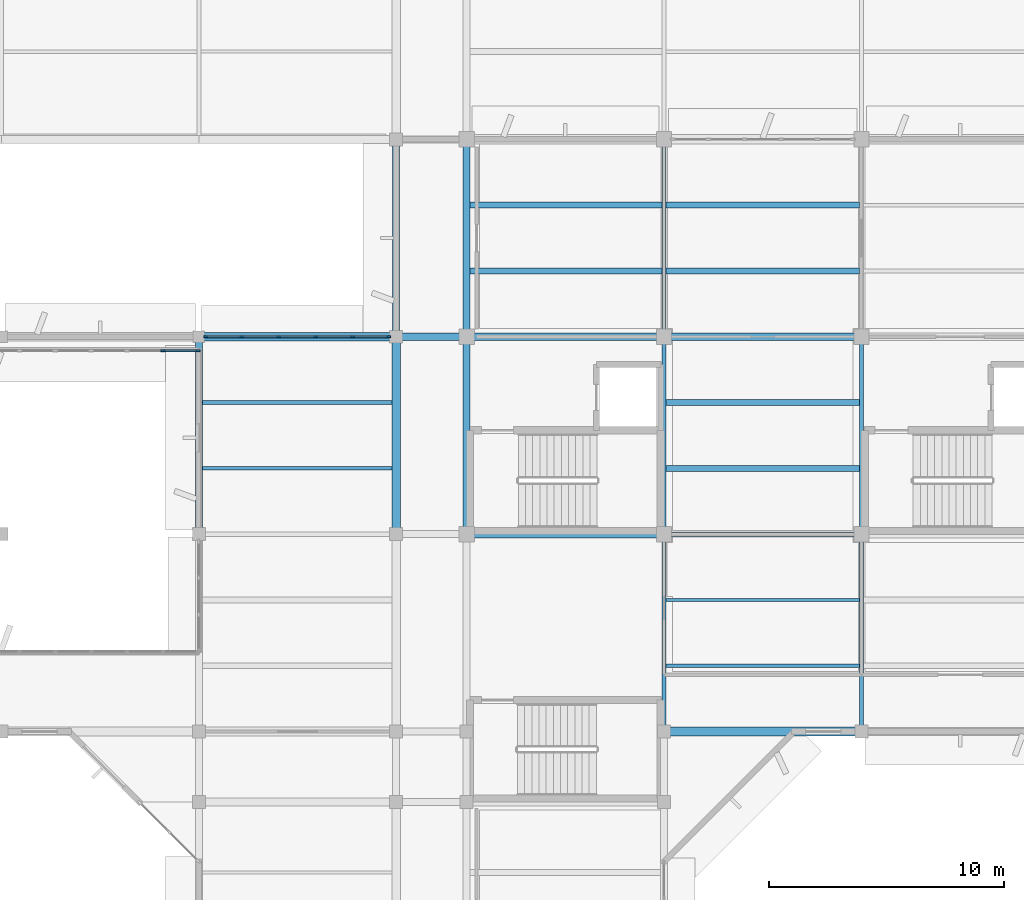
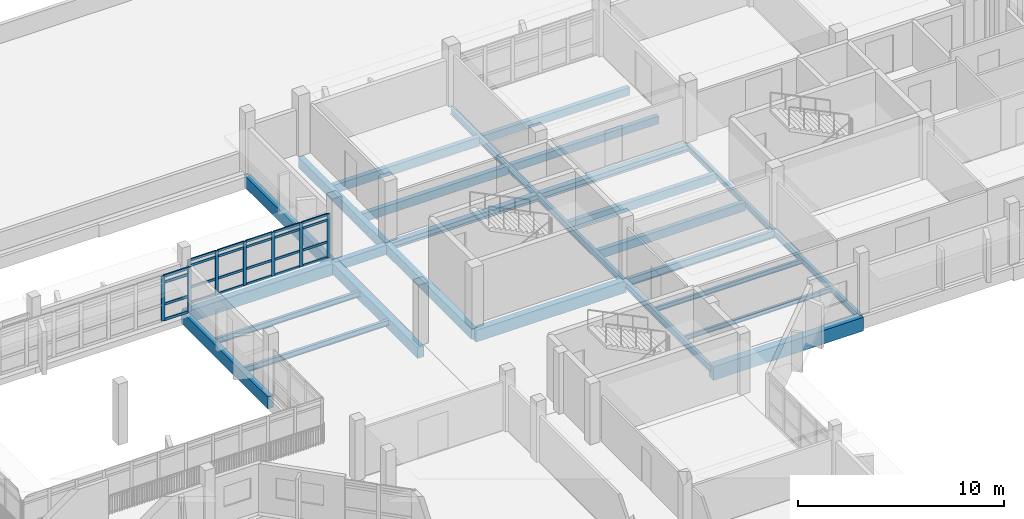
# One storey, part 36 of 92: 32 members, 27 beams, 2 elements without a shape of their own.
"""IFC4 building model written with IfcOpenShell, lengths in metres."""

from ifc_helpers import new_model, si_unit, direction, frame, origin, origin_2d, place, context, subcontext, project, spatial, rectangle, i_section, extrude, material, material_profile, profile_set, type_object, element, aggregate, save


model = new_model("IFC4")

# Units and contexts
model_context = context("Model", 3, precision=1e-05, world=origin(), true_north=direction((0.0, 1.0)))
body_context = subcontext(model_context, "Body", "Model", "MODEL_VIEW")
ifc_project = project(units=[si_unit("LENGTHUNIT", "METRE"), si_unit("AREAUNIT", "SQUARE_METRE"), si_unit("VOLUMEUNIT", "CUBIC_METRE"), si_unit("PLANEANGLEUNIT", "RADIAN"), si_unit("MASSUNIT", "GRAM", prefix="KILO")], contexts=[model_context])

# Site, building, storey
site_placement = place(None, origin())
site = spatial("IfcSite", under=ifc_project, at=site_placement, CompositionType="ELEMENT")
building_placement = place(site_placement, origin())
building = spatial("IfcBuilding", under=site, at=building_placement, Name="Vanh Quang Courtyard School", CompositionType="ELEMENT")
storey_placement = place(building_placement, frame((0.0, 0.0, 7.800048828125)))
storey = spatial("IfcBuildingStorey", under=building, at=storey_placement, Name="L02", CompositionType="ELEMENT", Elevation=7.800048828125)

# Beams
ifc_material_1 = material(Name="Concrete C35/45", Category="concrete")
ifc_material_profile_1 = material_profile(ifc_material_1, rectangle(XDim=0.300048828125, YDim=0.550048828125, at=origin_2d()), Name="RC-BM 300x550")
ifc_profile_set_1 = profile_set([ifc_material_profile_1], Name="Concrete C35/45")
beam_type_1 = type_object("IfcBeamType", Name="BM-RC-300x550", PredefinedType="BEAM", material=ifc_profile_set_1)
beam_1_placement = place(storey_placement, frame((74.39990234375, 88.199951171875, -0.574951171875), z_axis=(1.0, 0.0, 0.0), x_axis=(0.0, 1.0, 0.0)))
element("IfcBeam", 1, at=beam_1_placement, inside=storey, type_object=beam_type_1, Name="Beam B-07 (L02)", PredefinedType="BEAM", context=body_context, shape_type="SweptSolid", body=[
    extrude(rectangle(XDim=0.300048828125, YDim=0.550048828125, at=origin_2d()), origin(), (0.0, 0.0, 1.0), 3.0),
])
ifc_material_profile_2 = material_profile(ifc_material_1, rectangle(XDim=0.300048828125, YDim=0.60009765625, at=origin_2d()), Name="RC-BM 300x600")
ifc_profile_set_2 = profile_set([ifc_material_profile_2], Name="Concrete C35/45")
beam_type_2 = type_object("IfcBeamType", Name="BM-RC-300x600", PredefinedType="BEAM", material=ifc_profile_set_2)
beam_2_placement = place(storey_placement, frame((77.39990234375, 79.800048828125, -0.580078125), z_axis=(0.0, 1.0, 0.0), x_axis=(-1.0, 0.0, 0.0)))
element("IfcBeam", 2, at=beam_2_placement, inside=storey, type_object=beam_type_2, Name="Beam B-06 (L02)", PredefinedType="BEAM", context=body_context, shape_type="SweptSolid", body=[
    extrude(rectangle(XDim=0.300048828125, YDim=0.60009765625, at=origin_2d()), origin(), (0.0, 0.0, 1.0), 8.39990234375),
])
beam_3_placement = place(storey_placement, frame((77.39990234375, 88.199951171875, -0.580078125), z_axis=(0.0, 1.0, 0.0), x_axis=(-1.0, 0.0, 0.0)))
element("IfcBeam", 3, at=beam_3_placement, inside=storey, type_object=beam_type_2, Name="Beam B-06 (L02)", PredefinedType="BEAM", context=body_context, shape_type="SweptSolid", body=[
    extrude(rectangle(XDim=0.300048828125, YDim=0.60009765625, at=origin_2d()), origin(), (0.0, 0.0, 1.0), 8.400146484375),
])
ifc_material_profile_3 = material_profile(ifc_material_1, rectangle(XDim=0.35009765625, YDim=0.64990234375, at=origin_2d()), Name="RC-BM 350x650")
ifc_profile_set_3 = profile_set([ifc_material_profile_3], Name="Concrete C35/45")
beam_type_3 = type_object("IfcBeamType", Name="BM-RC-350x650", PredefinedType="BEAM", material=ifc_profile_set_3)
beam_4_placement = place(storey_placement, frame((74.39990234375, 79.800048828125, -0.625), z_axis=(0.0, 1.0, 0.0), x_axis=(-1.0, 0.0, 0.0)))
element("IfcBeam", 4, at=beam_4_placement, inside=storey, type_object=beam_type_3, Name="Beam B-05 (L02)", PredefinedType="BEAM", context=body_context, shape_type="SweptSolid", body=[
    extrude(rectangle(XDim=0.35009765625, YDim=0.64990234375, at=origin_2d()), origin(), (0.0, 0.0, 1.0), 8.39990234375),
])
ifc_material_profile_4 = material_profile(ifc_material_1, rectangle(XDim=0.35009765625, YDim=0.699951171875, at=origin_2d()), Name="RC-BM 350x700")
ifc_profile_set_4 = profile_set([ifc_material_profile_4], Name="Concrete C35/45")
beam_type_4 = type_object("IfcBeamType", Name="BM-RC-350x700", PredefinedType="BEAM", material=ifc_profile_set_4)
beam_5_placement = place(storey_placement, frame((77.39990234375, 79.800048828125, -0.630126953125), z_axis=(1.0, 0.0, 0.0), x_axis=(0.0, 1.0, 0.0)))
element("IfcBeam", 5, at=beam_5_placement, inside=storey, type_object=beam_type_4, Name="Beam B-04 (L02)", PredefinedType="BEAM", context=body_context, shape_type="SweptSolid", body=[
    extrude(rectangle(XDim=0.35009765625, YDim=0.699951171875, at=origin_2d()), origin(), (0.0, 0.0, 1.0), 8.400146484375),
])
beam_6_placement = place(storey_placement, frame((66.0, 88.199951171875, -0.650146484375), z_axis=(1.0, 0.0, 0.0), x_axis=(0.0, 1.0, 0.0)))
element("IfcBeam", 6, at=beam_6_placement, inside=storey, type_object=beam_type_4, Name="Beam B-04 (L02)", PredefinedType="BEAM", context=body_context, shape_type="SweptSolid", body=[
    extrude(rectangle(XDim=0.35009765625, YDim=0.699951171875, at=origin_2d()), origin(), (0.0, 0.0, 1.0), 8.39990234375),
])
ifc_material_profile_5 = material_profile(ifc_material_1, rectangle(XDim=0.39990234375, YDim=0.800048828125, at=origin_2d()), Name="RC-BM 400x800")
ifc_profile_set_5 = profile_set([ifc_material_profile_5], Name="Concrete C35/45")
beam_type_5 = type_object("IfcBeamType", Name="BM-RC-400x800", PredefinedType="BEAM", material=ifc_profile_set_5)
beam_7_placement = place(storey_placement, frame((85.800048828125, 71.39990234375, -0.679931640625), z_axis=(1.0, 0.0, 0.0), x_axis=(0.0, 1.0, 0.0)))
element("IfcBeam", 7, at=beam_7_placement, inside=storey, type_object=beam_type_5, Name="Beam B-02 (L02)", PredefinedType="BEAM", context=body_context, shape_type="SweptSolid", body=[
    extrude(rectangle(XDim=0.39990234375, YDim=0.800048828125, at=origin_2d()), origin(), (0.0, 0.0, 1.0), 8.39990234375),
])
ifc_material_profile_6 = material_profile(ifc_material_1, rectangle(XDim=0.300048828125, YDim=0.699951171875, at=origin_2d()), Name="RC-SP 300x700")
ifc_profile_set_6 = profile_set([ifc_material_profile_6], Name="Concrete C35/45")
beam_type_6 = type_object("IfcBeamType", Name="BM-SP-300x700", PredefinedType="SPANDREL", material=ifc_profile_set_6)
beam_8_placement = place(storey_placement, frame((66.0, 79.800048828125, -0.650146484375), z_axis=(0.0, 1.0, 0.0), x_axis=(-1.0, 0.0, 0.0)))
element("IfcBeam", 8, at=beam_8_placement, inside=storey, type_object=beam_type_6, Name="Beam BS-01 (L02)", PredefinedType="SPANDREL", context=body_context, shape_type="SweptSolid", body=[
    extrude(rectangle(XDim=0.300048828125, YDim=0.699951171875, at=origin_2d()), origin(), (0.0, 0.0, 1.0), 8.39990234375),
])
beam_9_placement = place(storey_placement, frame((74.39990234375, 88.199951171875, -0.650146484375), z_axis=(0.0, 1.0, 0.0), x_axis=(-1.0, 0.0, 0.0)))
element("IfcBeam", 9, at=beam_9_placement, inside=storey, type_object=beam_type_6, Name="Beam BS-01 (L02)", PredefinedType="SPANDREL", context=body_context, shape_type="SweptSolid", body=[
    extrude(rectangle(XDim=0.300048828125, YDim=0.699951171875, at=origin_2d()), origin(), (0.0, 0.0, 1.0), 8.400146484375),
])
ifc_material_2 = material(Name="Structural steel EN 10025-2 S355J2", Category="steel")
ifc_material_profile_7 = material_profile(ifc_material_2, i_section(OverallWidth=0.300048828125, OverallDepth=0.389892578125, WebThickness=0.010986328125, FlangeThickness=0.01904296875, FilletRadius=0.027099609375, at=origin_2d()), Name="HEA 400")
ifc_profile_set_7 = profile_set([ifc_material_profile_7], Name="Structural steel EN 10025-2 S355J2")
beam_type_7 = type_object("IfcBeamType", Name="BM-STL-HEA400", PredefinedType="BEAM", material=ifc_profile_set_7)
beam_10_placement = place(storey_placement, frame((77.39990234375, 88.199951171875, -0.47509765625), z_axis=(1.0, 0.0, 0.0), x_axis=(0.0, 1.0, 0.0)))
element("IfcBeam", 10, at=beam_10_placement, inside=storey, type_object=beam_type_7, Name="Beam SB-08 (L02)", PredefinedType="BEAM", context=body_context, shape_type="SweptSolid", body=[
    extrude(i_section(OverallWidth=0.300048828125, OverallDepth=0.389892578125, WebThickness=0.010986328125, FlangeThickness=0.01904296875, FilletRadius=0.027099609375, at=origin_2d()), origin(), (0.0, 0.0, 1.0), 8.400146484375),
])
beam_11_placement = place(storey_placement, frame((85.800048828125, 88.199951171875, -0.47509765625), z_axis=(1.0, 0.0, 0.0), x_axis=(0.0, 1.0, 0.0)))
element("IfcBeam", 11, at=beam_11_placement, inside=storey, type_object=beam_type_7, Name="Beam SB-08 (L02)", PredefinedType="BEAM", context=body_context, shape_type="SweptSolid", body=[
    extrude(i_section(OverallWidth=0.300048828125, OverallDepth=0.389892578125, WebThickness=0.010986328125, FlangeThickness=0.01904296875, FilletRadius=0.027099609375, at=origin_2d()), origin(), (0.0, 0.0, 1.0), 8.39990234375),
])
ifc_material_profile_8 = material_profile(ifc_material_2, i_section(OverallWidth=0.169921875, OverallDepth=0.360107421875, WebThickness=0.008056640625, FlangeThickness=0.0126953125, FilletRadius=0.01806640625, at=origin_2d()), Name="IPE 360")
ifc_profile_set_8 = profile_set([ifc_material_profile_8], Name="Structural steel EN 10025-2 S355J2")
beam_type_8 = type_object("IfcBeamType", Name="BM-STL-IPE360", PredefinedType="BEAM", material=ifc_profile_set_8)
beam_12_placement = place(storey_placement, frame((94.199951171875, 71.39990234375, -0.4599609375), z_axis=(0.0, 1.0, 0.0), x_axis=(-1.0, 0.0, 0.0)))
element("IfcBeam", 12, at=beam_12_placement, inside=storey, type_object=beam_type_8, Name="Beam SB-06 (L02)", PredefinedType="BEAM", context=body_context, shape_type="SweptSolid", body=[
    extrude(i_section(OverallWidth=0.169921875, OverallDepth=0.360107421875, WebThickness=0.008056640625, FlangeThickness=0.0126953125, FilletRadius=0.01806640625, at=origin_2d()), origin(), (0.0, 0.0, 1.0), 8.400146484375),
])
beam_13_placement = place(storey_placement, frame((94.199951171875, 79.800048828125, -0.4599609375), z_axis=(0.0, 1.0, 0.0), x_axis=(-1.0, 0.0, 0.0)))
element("IfcBeam", 13, at=beam_13_placement, inside=storey, type_object=beam_type_8, Name="Beam SB-06 (L02)", PredefinedType="BEAM", context=body_context, shape_type="SweptSolid", body=[
    extrude(i_section(OverallWidth=0.169921875, OverallDepth=0.360107421875, WebThickness=0.008056640625, FlangeThickness=0.0126953125, FilletRadius=0.01806640625, at=origin_2d()), origin(), (0.0, 0.0, 1.0), 8.39990234375),
])
ifc_material_profile_9 = material_profile(ifc_material_2, i_section(OverallWidth=0.179931640625, OverallDepth=0.39990234375, WebThickness=0.008544921875, FlangeThickness=0.013427734375, FilletRadius=0.02099609375, at=origin_2d()), Name="IPE 400")
ifc_profile_set_9 = profile_set([ifc_material_profile_9], Name="Structural steel EN 10025-2 S355J2")
beam_type_9 = type_object("IfcBeamType", Name="BM-STL-IPE400", PredefinedType="BEAM", material=ifc_profile_set_9)
beam_14_placement = place(storey_placement, frame((85.800048828125, 71.39990234375, -0.47998046875), z_axis=(0.0, 1.0, 0.0), x_axis=(-1.0, 0.0, 0.0)))
element("IfcBeam", 14, at=beam_14_placement, inside=storey, type_object=beam_type_9, Name="Beam SB-05 (L02)", PredefinedType="BEAM", context=body_context, shape_type="SweptSolid", body=[
    extrude(i_section(OverallWidth=0.179931640625, OverallDepth=0.39990234375, WebThickness=0.008544921875, FlangeThickness=0.013427734375, FilletRadius=0.02099609375, at=origin_2d()), origin(), (0.0, 0.0, 1.0), 8.400146484375),
])
beam_15_placement = place(storey_placement, frame((85.800048828125, 79.800048828125, -0.47998046875), z_axis=(0.0, 1.0, 0.0), x_axis=(-1.0, 0.0, 0.0)))
element("IfcBeam", 15, at=beam_15_placement, inside=storey, type_object=beam_type_9, Name="Beam SB-05 (L02)", PredefinedType="BEAM", context=body_context, shape_type="SweptSolid", body=[
    extrude(i_section(OverallWidth=0.179931640625, OverallDepth=0.39990234375, WebThickness=0.008544921875, FlangeThickness=0.013427734375, FilletRadius=0.02099609375, at=origin_2d()), origin(), (0.0, 0.0, 1.0), 8.39990234375),
])
beam_16_placement = place(storey_placement, frame((85.800048828125, 88.199951171875, -0.47998046875), z_axis=(0.0, 1.0, 0.0), x_axis=(-1.0, 0.0, 0.0)))
element("IfcBeam", 16, at=beam_16_placement, inside=storey, type_object=beam_type_9, Name="Beam SB-05 (L02)", PredefinedType="BEAM", context=body_context, shape_type="SweptSolid", body=[
    extrude(i_section(OverallWidth=0.179931640625, OverallDepth=0.39990234375, WebThickness=0.008544921875, FlangeThickness=0.013427734375, FilletRadius=0.02099609375, at=origin_2d()), origin(), (0.0, 0.0, 1.0), 8.400146484375),
])
ifc_material_profile_10 = material_profile(ifc_material_2, i_section(OverallWidth=0.18994140625, OverallDepth=0.449951171875, WebThickness=0.009521484375, FlangeThickness=0.0146484375, FilletRadius=0.02099609375, at=origin_2d()), Name="IPE 450")
ifc_profile_set_10 = profile_set([ifc_material_profile_10], Name="Structural steel EN 10025-2 S355J2")
beam_type_10 = type_object("IfcBeamType", Name="BM-STL-IPE450", PredefinedType="BEAM", material=ifc_profile_set_10)
beam_17_placement = place(storey_placement, frame((85.800048828125, 79.800048828125, -0.505126953125), z_axis=(1.0, 0.0, 0.0), x_axis=(0.0, 1.0, 0.0)))
element("IfcBeam", 17, at=beam_17_placement, inside=storey, type_object=beam_type_10, Name="Beam SB-04 (L02)", PredefinedType="BEAM", context=body_context, shape_type="SweptSolid", body=[
    extrude(i_section(OverallWidth=0.18994140625, OverallDepth=0.449951171875, WebThickness=0.009521484375, FlangeThickness=0.0146484375, FilletRadius=0.02099609375, at=origin_2d()), origin(), (0.0, 0.0, 1.0), 8.39990234375),
])

# Curtain wall, members
ifc_material_3 = material(Name="Thermally broken aluminium unitised curtain wall", Category="aluminium")
curtain_wall_type_1 = type_object("IfcCurtainWallType", Name="CW-SYS-19", PredefinedType="NOTDEFINED", material=ifc_material_3)
curtain_wall_1_placement = place(storey_placement, origin())
curtain_wall_1 = element("IfcCurtainWall", 18, at=curtain_wall_1_placement, inside=storey, type_object=curtain_wall_type_1, Name="Curtain Wall CW-19 (L02)", PredefinedType="NOTDEFINED")
ifc_material_4 = material(Name="Anodised aluminium 6063-T6", Category="aluminium")
ifc_material_profile_11 = material_profile(ifc_material_4, rectangle(XDim=0.070068359375, YDim=0.179931640625, at=origin_2d()), Name="ALU-MUL 70x180")
ifc_profile_set_11 = profile_set([ifc_material_profile_11], Name="Anodised aluminium 6063-T6")
member_type_1 = type_object("IfcMemberType", Name="CW-MUL-70x180", PredefinedType="MULLION", material=ifc_profile_set_11)
member_1_placement = place(storey_placement, frame((66.29296875, 88.199951171875, 0.0), z_axis=(0.0, 0.0, 1.0), x_axis=(0.0, 1.0, 0.0)))
member_1 = element("IfcMember", 19, at=member_1_placement, type_object=member_type_1, Name="CW-19 mullion 1", PredefinedType="MULLION", context=body_context, shape_type="SweptSolid", body=[
    extrude(rectangle(XDim=0.070068359375, YDim=0.179931640625, at=origin_2d()), origin(), (0.0, 0.0, 1.0), 2.599853515625),
])
member_2_placement = place(storey_placement, frame((67.829833984375, 88.199951171875, 0.0), z_axis=(0.0, 0.0, 1.0), x_axis=(0.0, 1.0, 0.0)))
member_2 = element("IfcMember", 20, at=member_2_placement, type_object=member_type_1, Name="CW-19 mullion 2", PredefinedType="MULLION", context=body_context, shape_type="SweptSolid", body=[
    extrude(rectangle(XDim=0.070068359375, YDim=0.179931640625, at=origin_2d()), origin(), (0.0, 0.0, 1.0), 2.599853515625),
])
member_3_placement = place(storey_placement, frame((69.401611328125, 88.199951171875, 0.0), z_axis=(0.0, 0.0, 1.0), x_axis=(0.0, 1.0, 0.0)))
member_3 = element("IfcMember", 21, at=member_3_placement, type_object=member_type_1, Name="CW-19 mullion 3", PredefinedType="MULLION", context=body_context, shape_type="SweptSolid", body=[
    extrude(rectangle(XDim=0.070068359375, YDim=0.179931640625, at=origin_2d()), origin(), (0.0, 0.0, 1.0), 2.599853515625),
])
member_4_placement = place(storey_placement, frame((70.973388671875, 88.199951171875, 0.0), z_axis=(0.0, 0.0, 1.0), x_axis=(0.0, 1.0, 0.0)))
member_4 = element("IfcMember", 22, at=member_4_placement, type_object=member_type_1, Name="CW-19 mullion 4", PredefinedType="MULLION", context=body_context, shape_type="SweptSolid", body=[
    extrude(rectangle(XDim=0.070068359375, YDim=0.179931640625, at=origin_2d()), origin(), (0.0, 0.0, 1.0), 2.599853515625),
])
member_5_placement = place(storey_placement, frame((72.545166015625, 88.199951171875, 0.0), z_axis=(0.0, 0.0, 1.0), x_axis=(0.0, 1.0, 0.0)))
member_5 = element("IfcMember", 23, at=member_5_placement, type_object=member_type_1, Name="CW-19 mullion 5", PredefinedType="MULLION", context=body_context, shape_type="SweptSolid", body=[
    extrude(rectangle(XDim=0.070068359375, YDim=0.179931640625, at=origin_2d()), origin(), (0.0, 0.0, 1.0), 2.599853515625),
])
member_6_placement = place(storey_placement, frame((74.08203125, 88.199951171875, 0.0), z_axis=(0.0, 0.0, 1.0), x_axis=(0.0, 1.0, 0.0)))
member_6 = element("IfcMember", 24, at=member_6_placement, type_object=member_type_1, Name="CW-19 mullion 6", PredefinedType="MULLION", context=body_context, shape_type="SweptSolid", body=[
    extrude(rectangle(XDim=0.070068359375, YDim=0.179931640625, at=origin_2d()), origin(), (0.0, 0.0, 1.0), 2.599853515625),
])

curtain_wall_type_2 = type_object("IfcCurtainWallType", Name="CW-SYS-54", PredefinedType="NOTDEFINED", material=ifc_material_3)
curtain_wall_2_placement = place(storey_placement, origin())
curtain_wall_2 = element("IfcCurtainWall", 25, at=curtain_wall_2_placement, inside=storey, type_object=curtain_wall_type_2, Name="Curtain Wall CW-54 (L02)", PredefinedType="NOTDEFINED")
ifc_material_profile_12 = material_profile(ifc_material_4, rectangle(XDim=0.080078125, YDim=0.199951171875, at=origin_2d()), Name="ALU-MUL 80x200")
ifc_profile_set_12 = profile_set([ifc_material_profile_12], Name="Anodised aluminium 6063-T6")
member_type_2 = type_object("IfcMemberType", Name="CW-MUL-80x200", PredefinedType="MULLION", material=ifc_profile_set_12)
member_7_placement = place(storey_placement, frame((65.9599609375, 87.60009765625, 0.0), z_axis=(0.0, 0.0, 1.0), x_axis=(0.0, -1.0, 0.0)))
member_7 = element("IfcMember", 26, at=member_7_placement, type_object=member_type_2, Name="CW-54 mullion 1", PredefinedType="MULLION", context=body_context, shape_type="SweptSolid", body=[
    extrude(rectangle(XDim=0.080078125, YDim=0.199951171875, at=origin_2d()), origin(), (0.0, 0.0, 1.0), 2.64990234375),
])
member_8_placement = place(storey_placement, frame((64.47265625, 87.60009765625, 0.0), z_axis=(0.0, 0.0, 1.0), x_axis=(0.0, -1.0, 0.0)))
member_8 = element("IfcMember", 27, at=member_8_placement, type_object=member_type_2, Name="CW-54 mullion 2", PredefinedType="MULLION", context=body_context, shape_type="SweptSolid", body=[
    extrude(rectangle(XDim=0.080078125, YDim=0.199951171875, at=origin_2d()), origin(), (0.0, 0.0, 1.0), 2.64990234375),
])

# Member
ifc_material_profile_13 = material_profile(ifc_material_4, rectangle(XDim=0.070068359375, YDim=0.139892578125, at=origin_2d()), Name="ALU-TRN 70x140")
ifc_profile_set_13 = profile_set([ifc_material_profile_13], Name="Anodised aluminium 6063-T6")
member_type_3 = type_object("IfcMemberType", Name="CW-TRN-70x140", PredefinedType="USERDEFINED", material=ifc_profile_set_13)
member_9_placement = place(storey_placement, frame((66.327880859375, 88.199951171875, 0.034912109375), z_axis=(1.0, 0.0, 0.0), x_axis=(0.0, 1.0, 0.0)))
member_9 = element("IfcMember", 28, at=member_9_placement, type_object=member_type_3, Name="CW-19 transom 1.1", ObjectType="TRANSOM", PredefinedType="USERDEFINED", context=body_context, shape_type="SweptSolid", body=[
    extrude(rectangle(XDim=0.070068359375, YDim=0.139892578125, at=origin_2d()), origin(), (0.0, 0.0, 1.0), 1.467041015625),
])

member_10_placement = place(storey_placement, frame((66.327880859375, 88.199951171875, 0.949951171875), z_axis=(1.0, 0.0, 0.0), x_axis=(0.0, 1.0, 0.0)))
member_10 = element("IfcMember", 29, at=member_10_placement, type_object=member_type_3, Name="CW-19 transom 1.2", ObjectType="TRANSOM", PredefinedType="USERDEFINED", context=body_context, shape_type="SweptSolid", body=[
    extrude(rectangle(XDim=0.070068359375, YDim=0.139892578125, at=origin_2d()), origin(), (0.0, 0.0, 1.0), 1.467041015625),
])

member_11_placement = place(storey_placement, frame((66.327880859375, 88.199951171875, 2.25), z_axis=(1.0, 0.0, 0.0), x_axis=(0.0, 1.0, 0.0)))
member_11 = element("IfcMember", 30, at=member_11_placement, type_object=member_type_3, Name="CW-19 transom 1.3", ObjectType="TRANSOM", PredefinedType="USERDEFINED", context=body_context, shape_type="SweptSolid", body=[
    extrude(rectangle(XDim=0.070068359375, YDim=0.139892578125, at=origin_2d()), origin(), (0.0, 0.0, 1.0), 1.467041015625),
])

member_12_placement = place(storey_placement, frame((66.327880859375, 88.199951171875, 2.56494140625), z_axis=(1.0, 0.0, 0.0), x_axis=(0.0, 1.0, 0.0)))
member_12 = element("IfcMember", 31, at=member_12_placement, type_object=member_type_3, Name="CW-19 transom 1.4", ObjectType="TRANSOM", PredefinedType="USERDEFINED", context=body_context, shape_type="SweptSolid", body=[
    extrude(rectangle(XDim=0.070068359375, YDim=0.139892578125, at=origin_2d()), origin(), (0.0, 0.0, 1.0), 1.467041015625),
])

member_13_placement = place(storey_placement, frame((67.86474609375, 88.199951171875, 0.034912109375), z_axis=(1.0, 0.0, 0.0), x_axis=(0.0, 1.0, 0.0)))
member_13 = element("IfcMember", 32, at=member_13_placement, type_object=member_type_3, Name="CW-19 transom 2.1", ObjectType="TRANSOM", PredefinedType="USERDEFINED", context=body_context, shape_type="SweptSolid", body=[
    extrude(rectangle(XDim=0.070068359375, YDim=0.139892578125, at=origin_2d()), origin(), (0.0, 0.0, 1.0), 1.501953125),
])

member_14_placement = place(storey_placement, frame((67.86474609375, 88.199951171875, 0.949951171875), z_axis=(1.0, 0.0, 0.0), x_axis=(0.0, 1.0, 0.0)))
member_14 = element("IfcMember", 33, at=member_14_placement, type_object=member_type_3, Name="CW-19 transom 2.2", ObjectType="TRANSOM", PredefinedType="USERDEFINED", context=body_context, shape_type="SweptSolid", body=[
    extrude(rectangle(XDim=0.070068359375, YDim=0.139892578125, at=origin_2d()), origin(), (0.0, 0.0, 1.0), 1.501953125),
])

member_15_placement = place(storey_placement, frame((67.86474609375, 88.199951171875, 2.25), z_axis=(1.0, 0.0, 0.0), x_axis=(0.0, 1.0, 0.0)))
member_15 = element("IfcMember", 34, at=member_15_placement, type_object=member_type_3, Name="CW-19 transom 2.3", ObjectType="TRANSOM", PredefinedType="USERDEFINED", context=body_context, shape_type="SweptSolid", body=[
    extrude(rectangle(XDim=0.070068359375, YDim=0.139892578125, at=origin_2d()), origin(), (0.0, 0.0, 1.0), 1.501953125),
])

member_16_placement = place(storey_placement, frame((67.86474609375, 88.199951171875, 2.56494140625), z_axis=(1.0, 0.0, 0.0), x_axis=(0.0, 1.0, 0.0)))
member_16 = element("IfcMember", 35, at=member_16_placement, type_object=member_type_3, Name="CW-19 transom 2.4", ObjectType="TRANSOM", PredefinedType="USERDEFINED", context=body_context, shape_type="SweptSolid", body=[
    extrude(rectangle(XDim=0.070068359375, YDim=0.139892578125, at=origin_2d()), origin(), (0.0, 0.0, 1.0), 1.501953125),
])

member_17_placement = place(storey_placement, frame((69.4365234375, 88.199951171875, 0.034912109375), z_axis=(1.0, 0.0, 0.0), x_axis=(0.0, 1.0, 0.0)))
member_17 = element("IfcMember", 36, at=member_17_placement, type_object=member_type_3, Name="CW-19 transom 3.1", ObjectType="TRANSOM", PredefinedType="USERDEFINED", context=body_context, shape_type="SweptSolid", body=[
    extrude(rectangle(XDim=0.070068359375, YDim=0.139892578125, at=origin_2d()), origin(), (0.0, 0.0, 1.0), 1.501953125),
])

member_18_placement = place(storey_placement, frame((69.4365234375, 88.199951171875, 0.949951171875), z_axis=(1.0, 0.0, 0.0), x_axis=(0.0, 1.0, 0.0)))
member_18 = element("IfcMember", 37, at=member_18_placement, type_object=member_type_3, Name="CW-19 transom 3.2", ObjectType="TRANSOM", PredefinedType="USERDEFINED", context=body_context, shape_type="SweptSolid", body=[
    extrude(rectangle(XDim=0.070068359375, YDim=0.139892578125, at=origin_2d()), origin(), (0.0, 0.0, 1.0), 1.501953125),
])

member_19_placement = place(storey_placement, frame((69.4365234375, 88.199951171875, 2.25), z_axis=(1.0, 0.0, 0.0), x_axis=(0.0, 1.0, 0.0)))
member_19 = element("IfcMember", 38, at=member_19_placement, type_object=member_type_3, Name="CW-19 transom 3.3", ObjectType="TRANSOM", PredefinedType="USERDEFINED", context=body_context, shape_type="SweptSolid", body=[
    extrude(rectangle(XDim=0.070068359375, YDim=0.139892578125, at=origin_2d()), origin(), (0.0, 0.0, 1.0), 1.501953125),
])

member_20_placement = place(storey_placement, frame((69.4365234375, 88.199951171875, 2.56494140625), z_axis=(1.0, 0.0, 0.0), x_axis=(0.0, 1.0, 0.0)))
member_20 = element("IfcMember", 39, at=member_20_placement, type_object=member_type_3, Name="CW-19 transom 3.4", ObjectType="TRANSOM", PredefinedType="USERDEFINED", context=body_context, shape_type="SweptSolid", body=[
    extrude(rectangle(XDim=0.070068359375, YDim=0.139892578125, at=origin_2d()), origin(), (0.0, 0.0, 1.0), 1.501953125),
])

member_21_placement = place(storey_placement, frame((71.00830078125, 88.199951171875, 0.034912109375), z_axis=(1.0, 0.0, 0.0), x_axis=(0.0, 1.0, 0.0)))
member_21 = element("IfcMember", 40, at=member_21_placement, type_object=member_type_3, Name="CW-19 transom 4.1", ObjectType="TRANSOM", PredefinedType="USERDEFINED", context=body_context, shape_type="SweptSolid", body=[
    extrude(rectangle(XDim=0.070068359375, YDim=0.139892578125, at=origin_2d()), origin(), (0.0, 0.0, 1.0), 1.501953125),
])

member_22_placement = place(storey_placement, frame((71.00830078125, 88.199951171875, 0.949951171875), z_axis=(1.0, 0.0, 0.0), x_axis=(0.0, 1.0, 0.0)))
member_22 = element("IfcMember", 41, at=member_22_placement, type_object=member_type_3, Name="CW-19 transom 4.2", ObjectType="TRANSOM", PredefinedType="USERDEFINED", context=body_context, shape_type="SweptSolid", body=[
    extrude(rectangle(XDim=0.070068359375, YDim=0.139892578125, at=origin_2d()), origin(), (0.0, 0.0, 1.0), 1.501953125),
])

member_23_placement = place(storey_placement, frame((71.00830078125, 88.199951171875, 2.25), z_axis=(1.0, 0.0, 0.0), x_axis=(0.0, 1.0, 0.0)))
member_23 = element("IfcMember", 42, at=member_23_placement, type_object=member_type_3, Name="CW-19 transom 4.3", ObjectType="TRANSOM", PredefinedType="USERDEFINED", context=body_context, shape_type="SweptSolid", body=[
    extrude(rectangle(XDim=0.070068359375, YDim=0.139892578125, at=origin_2d()), origin(), (0.0, 0.0, 1.0), 1.501953125),
])

member_24_placement = place(storey_placement, frame((71.00830078125, 88.199951171875, 2.56494140625), z_axis=(1.0, 0.0, 0.0), x_axis=(0.0, 1.0, 0.0)))
member_24 = element("IfcMember", 43, at=member_24_placement, type_object=member_type_3, Name="CW-19 transom 4.4", ObjectType="TRANSOM", PredefinedType="USERDEFINED", context=body_context, shape_type="SweptSolid", body=[
    extrude(rectangle(XDim=0.070068359375, YDim=0.139892578125, at=origin_2d()), origin(), (0.0, 0.0, 1.0), 1.501953125),
])

member_25_placement = place(storey_placement, frame((72.580078125, 88.199951171875, 0.034912109375), z_axis=(1.0, 0.0, 0.0), x_axis=(0.0, 1.0, 0.0)))
member_25 = element("IfcMember", 44, at=member_25_placement, type_object=member_type_3, Name="CW-19 transom 5.1", ObjectType="TRANSOM", PredefinedType="USERDEFINED", context=body_context, shape_type="SweptSolid", body=[
    extrude(rectangle(XDim=0.070068359375, YDim=0.139892578125, at=origin_2d()), origin(), (0.0, 0.0, 1.0), 1.467041015625),
])

member_26_placement = place(storey_placement, frame((72.580078125, 88.199951171875, 0.949951171875), z_axis=(1.0, 0.0, 0.0), x_axis=(0.0, 1.0, 0.0)))
member_26 = element("IfcMember", 45, at=member_26_placement, type_object=member_type_3, Name="CW-19 transom 5.2", ObjectType="TRANSOM", PredefinedType="USERDEFINED", context=body_context, shape_type="SweptSolid", body=[
    extrude(rectangle(XDim=0.070068359375, YDim=0.139892578125, at=origin_2d()), origin(), (0.0, 0.0, 1.0), 1.467041015625),
])

member_27_placement = place(storey_placement, frame((72.580078125, 88.199951171875, 2.25), z_axis=(1.0, 0.0, 0.0), x_axis=(0.0, 1.0, 0.0)))
member_27 = element("IfcMember", 46, at=member_27_placement, type_object=member_type_3, Name="CW-19 transom 5.3", ObjectType="TRANSOM", PredefinedType="USERDEFINED", context=body_context, shape_type="SweptSolid", body=[
    extrude(rectangle(XDim=0.070068359375, YDim=0.139892578125, at=origin_2d()), origin(), (0.0, 0.0, 1.0), 1.467041015625),
])

member_28_placement = place(storey_placement, frame((72.580078125, 88.199951171875, 2.56494140625), z_axis=(1.0, 0.0, 0.0), x_axis=(0.0, 1.0, 0.0)))
member_28 = element("IfcMember", 47, at=member_28_placement, type_object=member_type_3, Name="CW-19 transom 5.4", ObjectType="TRANSOM", PredefinedType="USERDEFINED", context=body_context, shape_type="SweptSolid", body=[
    extrude(rectangle(XDim=0.070068359375, YDim=0.139892578125, at=origin_2d()), origin(), (0.0, 0.0, 1.0), 1.467041015625),
])

aggregate(curtain_wall_1, [member_1, member_2, member_3, member_4, member_5, member_6, member_9, member_10, member_11, member_12, member_13, member_14, member_15, member_16, member_17, member_18, member_19, member_20, member_21, member_22, member_23, member_24, member_25, member_26, member_27, member_28])

ifc_material_profile_14 = material_profile(ifc_material_4, rectangle(XDim=0.080078125, YDim=0.14990234375, at=origin_2d()), Name="ALU-TRN 80x150")
ifc_profile_set_14 = profile_set([ifc_material_profile_14], Name="Anodised aluminium 6063-T6")
member_type_4 = type_object("IfcMemberType", Name="CW-TRN-80x150", PredefinedType="USERDEFINED", material=ifc_profile_set_14)
member_29_placement = place(storey_placement, frame((65.919921875, 87.60009765625, 0.0400390625), z_axis=(-1.0, 0.0, 0.0), x_axis=(0.0, -1.0, 0.0)))
member_29 = element("IfcMember", 48, at=member_29_placement, type_object=member_type_4, Name="CW-54 transom 1.1", ObjectType="TRANSOM", PredefinedType="USERDEFINED", context=body_context, shape_type="SweptSolid", body=[
    extrude(rectangle(XDim=0.080078125, YDim=0.14990234375, at=origin_2d()), origin(), (0.0, 0.0, 1.0), 1.4072265625),
])

member_30_placement = place(storey_placement, frame((65.919921875, 87.60009765625, 0.949951171875), z_axis=(-1.0, 0.0, 0.0), x_axis=(0.0, -1.0, 0.0)))
member_30 = element("IfcMember", 49, at=member_30_placement, type_object=member_type_4, Name="CW-54 transom 1.2", ObjectType="TRANSOM", PredefinedType="USERDEFINED", context=body_context, shape_type="SweptSolid", body=[
    extrude(rectangle(XDim=0.080078125, YDim=0.14990234375, at=origin_2d()), origin(), (0.0, 0.0, 1.0), 1.4072265625),
])

member_31_placement = place(storey_placement, frame((65.919921875, 87.60009765625, 2.25), z_axis=(-1.0, 0.0, 0.0), x_axis=(0.0, -1.0, 0.0)))
member_31 = element("IfcMember", 50, at=member_31_placement, type_object=member_type_4, Name="CW-54 transom 1.3", ObjectType="TRANSOM", PredefinedType="USERDEFINED", context=body_context, shape_type="SweptSolid", body=[
    extrude(rectangle(XDim=0.080078125, YDim=0.14990234375, at=origin_2d()), origin(), (0.0, 0.0, 1.0), 1.4072265625),
])

member_32_placement = place(storey_placement, frame((65.919921875, 87.60009765625, 2.60986328125), z_axis=(-1.0, 0.0, 0.0), x_axis=(0.0, -1.0, 0.0)))
member_32 = element("IfcMember", 51, at=member_32_placement, type_object=member_type_4, Name="CW-54 transom 1.4", ObjectType="TRANSOM", PredefinedType="USERDEFINED", context=body_context, shape_type="SweptSolid", body=[
    extrude(rectangle(XDim=0.080078125, YDim=0.14990234375, at=origin_2d()), origin(), (0.0, 0.0, 1.0), 1.4072265625),
])

aggregate(curtain_wall_2, [member_7, member_8, member_29, member_30, member_31, member_32])

# Beams
ifc_material_5 = material(Name="Concrete C30/37", Category="concrete")
ifc_material_profile_15 = material_profile(ifc_material_5, rectangle(XDim=0.25, YDim=0.449951171875, at=origin_2d()), Name="RC-JST 250x450")
ifc_profile_set_15 = profile_set([ifc_material_profile_15], Name="Concrete C30/37")
beam_type_11 = type_object("IfcBeamType", Name="JST-RC-250x450", PredefinedType="JOIST", material=ifc_profile_set_15)
for number, where, z_axis, x_axis, name in (
    (52, (85.889892578125, 91.0, -0.505126953125), (1.0, 0.0, 0.0), (0.0, 1.0, 0.0), "Beam BJ-02 (L02)"),
    (53, (85.889892578125, 93.800048828125, -0.505126953125), (1.0, 0.0, 0.0), (0.0, 1.0, 0.0), "Beam BJ-02 (L02)"),
):
    element("IfcBeam", number, at=place(storey_placement, frame(where, z_axis=z_axis, x_axis=x_axis)), inside=storey, type_object=beam_type_11, Name=name, PredefinedType="JOIST", context=body_context, shape_type="SweptSolid", body=[
        extrude(rectangle(XDim=0.25, YDim=0.449951171875, at=origin_2d()), origin(), (0.0, 0.0, 1.0), 8.22509765625),
    ])
ifc_material_profile_16 = material_profile(ifc_material_5, rectangle(XDim=0.25, YDim=0.5, at=origin_2d()), Name="RC-JST 250x500")
ifc_profile_set_16 = profile_set([ifc_material_profile_16], Name="Concrete C30/37")
beam_type_12 = type_object("IfcBeamType", Name="JST-RC-250x500", PredefinedType="JOIST", material=ifc_profile_set_16)
for number, where, z_axis, x_axis, name in (
    (54, (77.550048828125, 91.0, -0.530029296875), (1.0, 0.0, 0.0), (0.0, 1.0, 0.0), "Beam BJ-01 (L02)"),
    (55, (77.550048828125, 93.800048828125, -0.530029296875), (1.0, 0.0, 0.0), (0.0, 1.0, 0.0), "Beam BJ-01 (L02)"),
):
    element("IfcBeam", number, at=place(storey_placement, frame(where, z_axis=z_axis, x_axis=x_axis)), inside=storey, type_object=beam_type_12, Name=name, PredefinedType="JOIST", context=body_context, shape_type="SweptSolid", body=[
        extrude(rectangle(XDim=0.25, YDim=0.5, at=origin_2d()), origin(), (0.0, 0.0, 1.0), 8.159912109375),
    ])
for number, where, z_axis, x_axis, name in (
    (56, (85.889892578125, 82.60009765625, -0.530029296875), (1.0, 0.0, 0.0), (0.0, 1.0, 0.0), "Beam BJ-01 (L02)"),
    (57, (85.889892578125, 85.39990234375, -0.530029296875), (1.0, 0.0, 0.0), (0.0, 1.0, 0.0), "Beam BJ-01 (L02)"),
):
    element("IfcBeam", number, at=place(storey_placement, frame(where, z_axis=z_axis, x_axis=x_axis)), inside=storey, type_object=beam_type_12, Name=name, PredefinedType="JOIST", context=body_context, shape_type="SweptSolid", body=[
        extrude(rectangle(XDim=0.25, YDim=0.5, at=origin_2d()), origin(), (0.0, 0.0, 1.0), 8.22509765625),
    ])
ifc_material_profile_17 = material_profile(ifc_material_2, i_section(OverallWidth=0.135009765625, OverallDepth=0.27001953125, WebThickness=0.006591796875, FlangeThickness=0.01025390625, FilletRadius=0.014892578125, at=origin_2d()), Name="IPE 270")
ifc_profile_set_17 = profile_set([ifc_material_profile_17], Name="Structural steel EN 10025-2 S355J2")
beam_type_13 = type_object("IfcBeamType", Name="JST-STL-IPE270", PredefinedType="JOIST", material=ifc_profile_set_17)
for number, where, z_axis, x_axis, name in (
    (58, (85.889892578125, 74.199951171875, -0.4150390625), (1.0, 0.0, 0.0), (0.0, 1.0, 0.0), "Beam SJ-03 (L02)"),
    (59, (85.889892578125, 77.0, -0.4150390625), (1.0, 0.0, 0.0), (0.0, 1.0, 0.0), "Beam SJ-03 (L02)"),
):
    element("IfcBeam", number, at=place(storey_placement, frame(where, z_axis=z_axis, x_axis=x_axis)), inside=storey, type_object=beam_type_13, Name=name, PredefinedType="JOIST", context=body_context, shape_type="SweptSolid", body=[
        extrude(i_section(OverallWidth=0.135009765625, OverallDepth=0.27001953125, WebThickness=0.006591796875, FlangeThickness=0.01025390625, FilletRadius=0.014892578125, at=origin_2d()), origin(), (0.0, 0.0, 1.0), 8.22509765625),
    ])
ifc_material_profile_18 = material_profile(ifc_material_2, i_section(OverallWidth=0.159912109375, OverallDepth=0.330078125, WebThickness=0.007568359375, FlangeThickness=0.011474609375, FilletRadius=0.01806640625, at=origin_2d()), Name="IPE 330")
ifc_profile_set_18 = profile_set([ifc_material_profile_18], Name="Structural steel EN 10025-2 S355J2")
beam_type_14 = type_object("IfcBeamType", Name="JST-STL-IPE330", PredefinedType="JOIST", material=ifc_profile_set_18)
for number, where, z_axis, x_axis, name in (
    (60, (66.14990234375, 82.60009765625, -0.465087890625), (1.0, 0.0, 0.0), (0.0, 1.0, 0.0), "Beam SJ-01 (L02)"),
    (61, (66.14990234375, 85.39990234375, -0.465087890625), (1.0, 0.0, 0.0), (0.0, 1.0, 0.0), "Beam SJ-01 (L02)"),
):
    element("IfcBeam", number, at=place(storey_placement, frame(where, z_axis=z_axis, x_axis=x_axis)), inside=storey, type_object=beam_type_14, Name=name, PredefinedType="JOIST", context=body_context, shape_type="SweptSolid", body=[
        extrude(i_section(OverallWidth=0.159912109375, OverallDepth=0.330078125, WebThickness=0.007568359375, FlangeThickness=0.011474609375, FilletRadius=0.01806640625, at=origin_2d()), origin(), (0.0, 0.0, 1.0), 8.0751953125),
    ])

save(model, "model.ifc")
